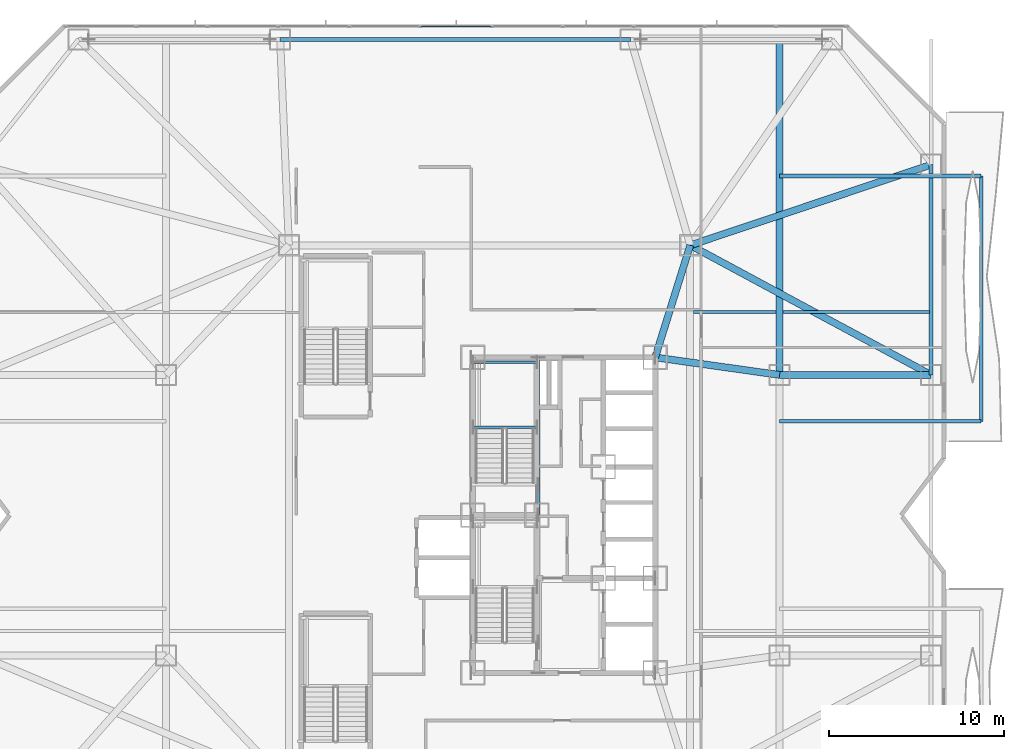
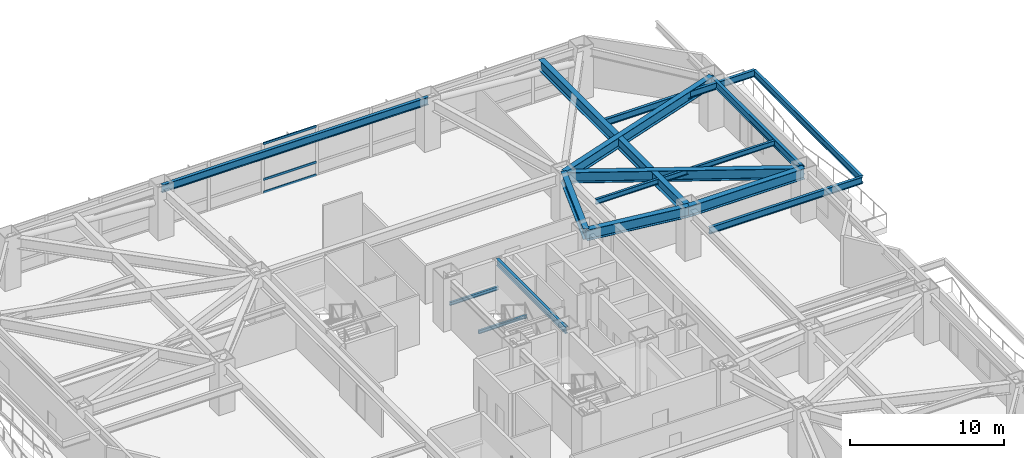
# One storey, part 5 of 25: 16 beams, 3 members, 1 element without a shape of its own.
"""IFC4 building model written with IfcOpenShell, lengths in metres."""

from ifc_helpers import new_model, si_unit, direction, frame, origin, origin_2d, place, context, subcontext, project, spatial, hollow_rectangle, i_section, extrude, material, material_profile, profile_set, type_object, element, aggregate, save


model = new_model("IFC4")

# Units and contexts
model_context = context("Model", 3, precision=1e-05, world=origin(), true_north=direction((0.0, 1.0)))
body_context = subcontext(model_context, "Body", "Model", "MODEL_VIEW")
ifc_project = project(units=[si_unit("LENGTHUNIT", "METRE"), si_unit("AREAUNIT", "SQUARE_METRE"), si_unit("VOLUMEUNIT", "CUBIC_METRE"), si_unit("PLANEANGLEUNIT", "RADIAN"), si_unit("MASSUNIT", "GRAM", prefix="KILO")], contexts=[model_context])

# Site, building, storey
site_placement = place(None, origin())
site = spatial("IfcSite", under=ifc_project, at=site_placement, CompositionType="ELEMENT")
building_placement = place(site_placement, origin())
building = spatial("IfcBuilding", under=site, at=building_placement, Name="Khamvora Tower", CompositionType="ELEMENT")
storey_placement = place(building_placement, frame((0.0, 0.0, 24.60009765625)))
storey = spatial("IfcBuildingStorey", under=building, at=storey_placement, Name="L05", CompositionType="ELEMENT", Elevation=24.60009765625)

# Beams
ifc_material_1 = material(Name="Steel S355", Category="steel")
ifc_material_profile_1 = material_profile(ifc_material_1, i_section(OverallWidth=0.177978515625, OverallDepth=0.406982421875, WebThickness=0.008056640625, FlangeThickness=0.012939453125, FilletRadius=0.010009765625, at=origin_2d()), Name="W410x60")
ifc_profile_set_1 = profile_set([ifc_material_profile_1], Name="Steel S355")
beam_type_1 = type_object("IfcBeamType", Name="BM-JS-W410x60", PredefinedType="JOIST", material=ifc_profile_set_1)
beam_1_placement = place(storey_placement, frame((41.594970703125, 39.60009765625, 3.716796875), z_axis=(1.0, 0.0, 0.0), x_axis=(0.0, 1.0, 0.0)))
element("IfcBeam", 1, at=beam_1_placement, inside=storey, type_object=beam_type_1, Name="L05 secondary floor joist 15", PredefinedType="JOIST", context=body_context, shape_type="SweptSolid", body=[
    extrude(i_section(OverallWidth=0.177978515625, OverallDepth=0.406982421875, WebThickness=0.008056640625, FlangeThickness=0.012939453125, FilletRadius=0.010009765625, at=origin_2d()), origin(), (0.0, 0.0, 1.0), 4.7099609375),
])
beam_2_placement = place(storey_placement, frame((46.695068359375, 39.60009765625, 3.716796875), z_axis=(1.0, 0.0, 0.0), x_axis=(0.0, 1.0, 0.0)))
element("IfcBeam", 2, at=beam_2_placement, inside=storey, type_object=beam_type_1, Name="L05 secondary floor joist 16", PredefinedType="JOIST", context=body_context, shape_type="SweptSolid", body=[
    extrude(i_section(OverallWidth=0.177978515625, OverallDepth=0.406982421875, WebThickness=0.008056640625, FlangeThickness=0.012939453125, FilletRadius=0.010009765625, at=origin_2d()), origin(), (0.0, 0.0, 1.0), 8.344970703125),
])
ifc_material_profile_2 = material_profile(ifc_material_1, i_section(OverallWidth=0.14697265625, OverallDepth=0.261962890625, WebThickness=0.007080078125, FlangeThickness=0.010986328125, FilletRadius=0.008056640625, at=origin_2d()), Name="W250x39")
ifc_profile_set_2 = profile_set([ifc_material_profile_2], Name="Steel S355")
beam_type_2 = type_object("IfcBeamType", Name="BM-LN-W250x39", PredefinedType="LINTEL", material=ifc_profile_set_2)
for number, where, z_axis, x_axis, name in (
    (3, (29.0, 33.014892578125, 1.768798828125), (1.0, 0.0, 0.0), (0.0, 1.0, 0.0), "L05 ST-02 half-landing support beam 1.1"),
    (4, (29.0, 36.72998046875, 1.768798828125), (1.0, 0.0, 0.0), (0.0, 1.0, 0.0), "L05 ST-02 half-landing support beam 1.2"),
):
    element("IfcBeam", number, at=place(storey_placement, frame(where, z_axis=z_axis, x_axis=x_axis)), inside=storey, type_object=beam_type_2, Name=name, PredefinedType="LINTEL", context=body_context, shape_type="SweptSolid", body=[
        extrude(i_section(OverallWidth=0.14697265625, OverallDepth=0.261962890625, WebThickness=0.007080078125, FlangeThickness=0.010986328125, FilletRadius=0.008056640625, at=origin_2d()), origin(), (0.0, 0.0, 1.0), 3.64990234375),
    ])
ifc_material_profile_3 = material_profile(ifc_material_1, i_section(OverallWidth=0.39990234375, OverallDepth=0.85498046875, WebThickness=0.01806640625, FlangeThickness=0.029052734375, FilletRadius=0.01806640625, at=origin_2d()), Name="W840x299")
ifc_profile_set_3 = profile_set([ifc_material_profile_3], Name="Steel S355")
beam_type_3 = type_object("IfcBeamType", Name="BM-PG-W840x299", PredefinedType="BEAM", material=ifc_profile_set_3)
beam_3_placement = place(storey_placement, frame((46.5, 36.0, 3.492919921875), z_axis=(1.0, 0.0, 0.0), x_axis=(0.0, 1.0, 0.0)))
element("IfcBeam", 5, at=beam_3_placement, inside=storey, type_object=beam_type_3, Name="L05 primary floor girder P15", PredefinedType="BEAM", context=body_context, shape_type="SweptSolid", body=[
    extrude(i_section(OverallWidth=0.39990234375, OverallDepth=0.85498046875, WebThickness=0.01806640625, FlangeThickness=0.029052734375, FilletRadius=0.01806640625, at=origin_2d()), origin(), (0.0, 0.0, 1.0), 8.64990234375),
])
beam_4_placement = place(storey_placement, frame((41.39990234375, 43.39990234375, 3.492919921875), z_axis=(0.948335857324, 0.31726818579, 0.0), x_axis=(-0.31726818579, 0.948335857324, 0.0)))
element("IfcBeam", 6, at=beam_4_placement, inside=storey, type_object=beam_type_3, Name="L05 primary floor girder P16", PredefinedType="BEAM", context=body_context, shape_type="SweptSolid", body=[
    extrude(i_section(OverallWidth=0.39990234375, OverallDepth=0.85498046875, WebThickness=0.01806640625, FlangeThickness=0.029052734375, FilletRadius=0.01806640625, at=origin_2d()), origin(), (0.0, 0.0, 1.0), 14.4990234375),
])
beam_5_placement = place(storey_placement, frame((39.39990234375, 37.0, 3.492919921875), z_axis=(0.298279139585, 0.95447868226, 0.0), x_axis=(-0.95447868226, 0.298279139585, 0.0)))
element("IfcBeam", 7, at=beam_5_placement, inside=storey, type_object=beam_type_3, Name="L05 primary floor girder P20", PredefinedType="BEAM", context=body_context, shape_type="SweptSolid", body=[
    extrude(i_section(OverallWidth=0.39990234375, OverallDepth=0.85498046875, WebThickness=0.01806640625, FlangeThickness=0.029052734375, FilletRadius=0.01806640625, at=origin_2d()), origin(), (0.0, 0.0, 1.0), 6.705078125),
])
beam_6_placement = place(storey_placement, frame((39.39990234375, 37.0, 3.492919921875), z_axis=(0.990226770029, -0.139466640879, 0.0), x_axis=(0.139466640879, 0.990226770029, 0.0)))
element("IfcBeam", 8, at=beam_6_placement, inside=storey, type_object=beam_type_3, Name="L05 primary floor girder P24", PredefinedType="BEAM", context=body_context, shape_type="SweptSolid", body=[
    extrude(i_section(OverallWidth=0.39990234375, OverallDepth=0.85498046875, WebThickness=0.01806640625, FlangeThickness=0.029052734375, FilletRadius=0.01806640625, at=origin_2d()), origin(), (0.0, 0.0, 1.0), 7.170166015625),
])
beam_7_placement = place(storey_placement, frame((55.14990234375, 36.0, 3.492919921875), z_axis=(-0.880576508414, 0.473904012252, 0.0), x_axis=(-0.473904012252, -0.880576508414, 0.0)))
element("IfcBeam", 9, at=beam_7_placement, inside=storey, type_object=beam_type_3, Name="L05 east plinth tie girder 3", PredefinedType="BEAM", context=body_context, shape_type="SweptSolid", body=[
    extrude(i_section(OverallWidth=0.39990234375, OverallDepth=0.85498046875, WebThickness=0.01806640625, FlangeThickness=0.029052734375, FilletRadius=0.01806640625, at=origin_2d()), origin(), (0.0, 0.0, 1.0), 15.61474609375),
])
beam_8_placement = place(storey_placement, frame((46.5, 36.0, 3.492919921875), z_axis=(0.0, 1.0, 0.0), x_axis=(-1.0, 0.0, 0.0)))
element("IfcBeam", 10, at=beam_8_placement, inside=storey, type_object=beam_type_3, Name="L05 gallery collector girder E.3", PredefinedType="BEAM", context=body_context, shape_type="SweptSolid", body=[
    extrude(i_section(OverallWidth=0.39990234375, OverallDepth=0.85498046875, WebThickness=0.01806640625, FlangeThickness=0.029052734375, FilletRadius=0.01806640625, at=origin_2d()), origin(), (0.0, 0.0, 1.0), 19.14990234375),
])
ifc_material_profile_4 = material_profile(ifc_material_1, i_section(OverallWidth=0.208984375, OverallDepth=0.532958984375, WebThickness=0.010009765625, FlangeThickness=0.01611328125, FilletRadius=0.013916015625, at=origin_2d()), Name="W530x92")
ifc_profile_set_4 = profile_set([ifc_material_profile_4], Name="Steel S355")
beam_type_4 = type_object("IfcBeamType", Name="BM-SP-W530x92", PredefinedType="SPANDREL", material=ifc_profile_set_4)
beam_9_placement = place(storey_placement, frame((32.72998046875, 28.0, 3.65283203125), z_axis=(0.0, 1.0, 0.0), x_axis=(-1.0, 0.0, 0.0)))
element("IfcBeam", 11, at=beam_9_placement, inside=storey, type_object=beam_type_4, Name="L05 core spine girder M1N", PredefinedType="SPANDREL", context=body_context, shape_type="SweptSolid", body=[
    extrude(i_section(OverallWidth=0.208984375, OverallDepth=0.532958984375, WebThickness=0.010009765625, FlangeThickness=0.01611328125, FilletRadius=0.013916015625, at=origin_2d()), origin(), (0.0, 0.0, 1.0), 9.0),
])
for number, where, z_axis, x_axis, name in (
    (12, (46.5, 33.35009765625, 3.512939453125), (1.0, 0.0, 0.0), (0.0, 1.0, 0.0), "L05 continuous gallery cantilever girder L06-EL2-1"),
    (13, (46.5, 47.35009765625, 3.512939453125), (1.0, 0.0, 0.0), (0.0, 1.0, 0.0), "L05 continuous gallery cantilever girder L06-EL2-2"),
):
    element("IfcBeam", number, at=place(storey_placement, frame(where, z_axis=z_axis, x_axis=x_axis)), inside=storey, type_object=beam_type_4, Name=name, PredefinedType="SPANDREL", context=body_context, shape_type="SweptSolid", body=[
        extrude(i_section(OverallWidth=0.208984375, OverallDepth=0.532958984375, WebThickness=0.010009765625, FlangeThickness=0.01611328125, FilletRadius=0.013916015625, at=origin_2d()), origin(), (0.0, 0.0, 1.0), 11.5),
    ])
beam_10_placement = place(storey_placement, frame((58.0, 33.35009765625, 3.512939453125), z_axis=(0.0, 1.0, 0.0), x_axis=(-1.0, 0.0, 0.0)))
element("IfcBeam", 14, at=beam_10_placement, inside=storey, type_object=beam_type_4, Name="L05 external gallery edge header beam L06-EL2", PredefinedType="SPANDREL", context=body_context, shape_type="SweptSolid", body=[
    extrude(i_section(OverallWidth=0.208984375, OverallDepth=0.532958984375, WebThickness=0.010009765625, FlangeThickness=0.01611328125, FilletRadius=0.013916015625, at=origin_2d()), origin(), (0.0, 0.0, 1.0), 14.0),
])
ifc_material_profile_5 = material_profile(ifc_material_1, i_section(OverallWidth=0.22998046875, OverallDepth=0.616943359375, WebThickness=0.012939453125, FlangeThickness=0.02197265625, FilletRadius=0.013916015625, at=origin_2d()), Name="W610x140")
ifc_profile_set_5 = profile_set([ifc_material_profile_5], Name="Steel S355")
beam_type_5 = type_object("IfcBeamType", Name="BM-SP-W610x140", PredefinedType="SPANDREL", material=ifc_profile_set_5)
beam_11_placement = place(storey_placement, frame((55.14990234375, 36.0, 3.61181640625), z_axis=(0.0, 1.0, 0.0), x_axis=(-1.0, 0.0, 0.0)))
element("IfcBeam", 15, at=beam_11_placement, inside=storey, type_object=beam_type_5, Name="L05 perimeter spandrel beam P15-P16", PredefinedType="SPANDREL", context=body_context, shape_type="SweptSolid", body=[
    extrude(i_section(OverallWidth=0.22998046875, OverallDepth=0.616943359375, WebThickness=0.012939453125, FlangeThickness=0.02197265625, FilletRadius=0.013916015625, at=origin_2d()), origin(), (0.0, 0.0, 1.0), 12.0),
])
beam_12_placement = place(storey_placement, frame((38.0, 55.14990234375, 3.61181640625), z_axis=(-1.0, 0.0, 0.0), x_axis=(0.0, -1.0, 0.0)))
element("IfcBeam", 16, at=beam_12_placement, inside=storey, type_object=beam_type_5, Name="L05 perimeter spandrel beam P07-P06", PredefinedType="SPANDREL", context=body_context, shape_type="SweptSolid", body=[
    extrude(i_section(OverallWidth=0.22998046875, OverallDepth=0.616943359375, WebThickness=0.012939453125, FlangeThickness=0.02197265625, FilletRadius=0.013916015625, at=origin_2d()), origin(), (0.0, 0.0, 1.0), 20.0),
])

# Curtain wall, members
ifc_material_2 = material(Name="Anodised Aluminium 6063-T6", Category="aluminium")
curtain_wall_type = type_object("IfcCurtainWallType", Name="CW-SYS-01", PredefinedType="NOTDEFINED", material=ifc_material_2)
curtain_wall_placement = place(storey_placement, origin())
curtain_wall = element("IfcCurtainWall", 17, at=curtain_wall_placement, inside=storey, type_object=curtain_wall_type, Name="L05 stick curtain wall 07.1", PredefinedType="NOTDEFINED")
ifc_material_profile_6 = material_profile(ifc_material_2, hollow_rectangle(XDim=0.074951171875, YDim=0.179931640625, WallThickness=0.0048828125, at=origin_2d()), Name="TRN75x180x5")
ifc_profile_set_6 = profile_set([ifc_material_profile_6], Name="Anodised Aluminium 6063-T6")
member_type = type_object("IfcMemberType", Name="CW-SYS-01-TRN", PredefinedType="USERDEFINED", material=ifc_profile_set_6)
member_1_placement = place(storey_placement, frame((26.047607421875, 55.8798828125, 0.037353515625), z_axis=(1.0, 0.0, 0.0), x_axis=(0.0, 1.0, 0.0)))
member_1 = element("IfcMember", 18, at=member_1_placement, type_object=member_type, Name="CW-01 transom 6.1", ObjectType="TRANSOM", PredefinedType="USERDEFINED", context=body_context, shape_type="SweptSolid", body=[
    extrude(hollow_rectangle(XDim=0.074951171875, YDim=0.179931640625, WallThickness=0.0048828125, at=origin_2d()), origin(), (0.0, 0.0, 1.0), 3.981689453125),
])
member_2_placement = place(storey_placement, frame((26.047607421875, 55.8798828125, 1.0498046875), z_axis=(1.0, 0.0, 0.0), x_axis=(0.0, 1.0, 0.0)))
member_2 = element("IfcMember", 19, at=member_2_placement, type_object=member_type, Name="CW-01 transom 6.2", ObjectType="TRANSOM", PredefinedType="USERDEFINED", context=body_context, shape_type="SweptSolid", body=[
    extrude(hollow_rectangle(XDim=0.074951171875, YDim=0.179931640625, WallThickness=0.0048828125, at=origin_2d()), origin(), (0.0, 0.0, 1.0), 3.981689453125),
])
member_3_placement = place(storey_placement, frame((26.047607421875, 55.8798828125, 3.88232421875), z_axis=(1.0, 0.0, 0.0), x_axis=(0.0, 1.0, 0.0)))
member_3 = element("IfcMember", 20, at=member_3_placement, type_object=member_type, Name="CW-01 transom 6.3", ObjectType="TRANSOM", PredefinedType="USERDEFINED", context=body_context, shape_type="SweptSolid", body=[
    extrude(hollow_rectangle(XDim=0.074951171875, YDim=0.179931640625, WallThickness=0.0048828125, at=origin_2d()), origin(), (0.0, 0.0, 1.0), 3.981689453125),
])
aggregate(curtain_wall, [member_1, member_2, member_3])

save(model, "model.ifc")
